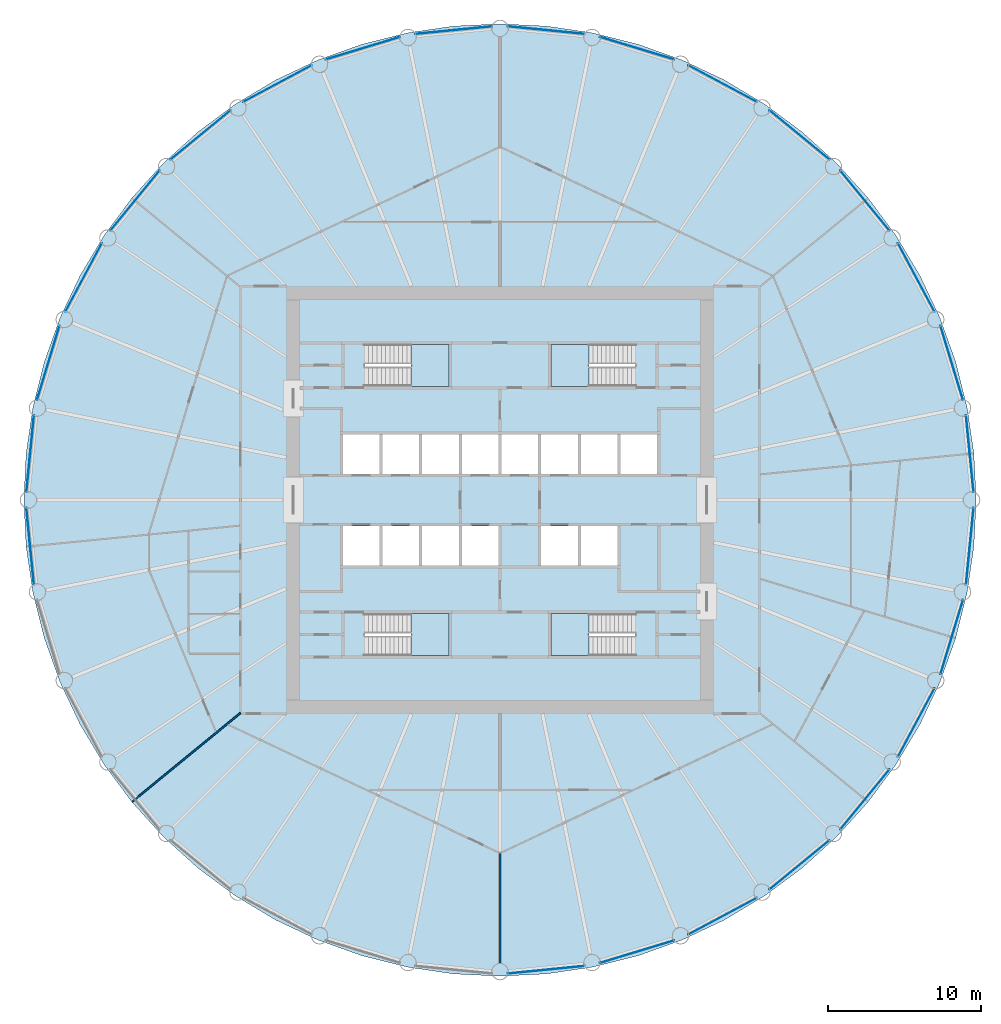
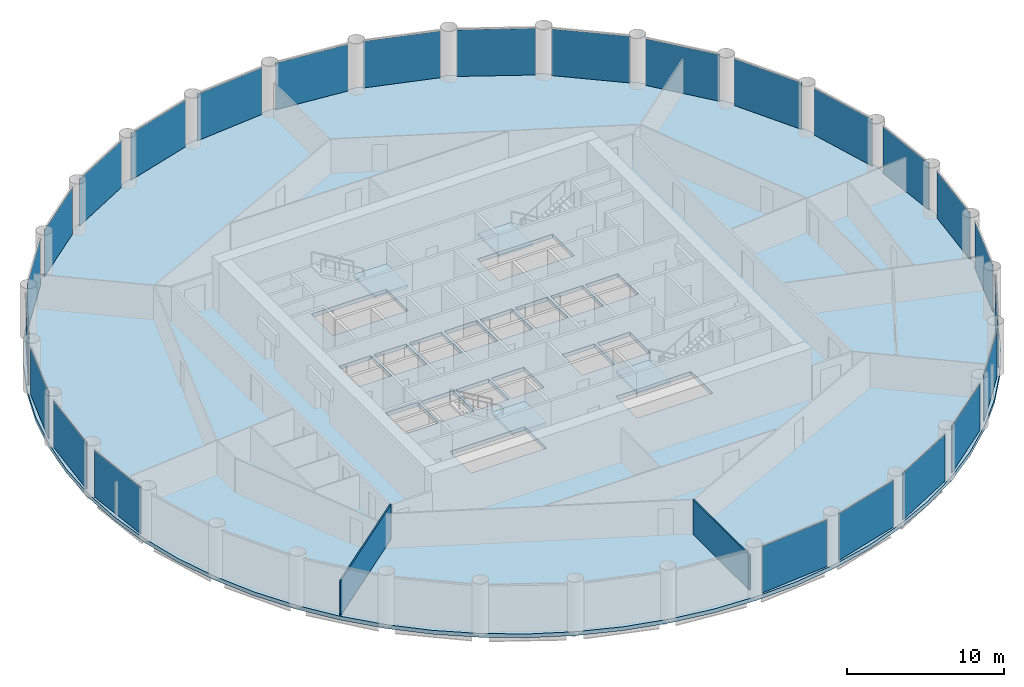
# One storey, part 3 of 9: 25 plates, 5 slabs, 2 walls, 29 elements without a shape of their own.
"""IFC4 building model written with IfcOpenShell, lengths in metres."""

from ifc_helpers import new_model, si_unit, direction, frame, frame_2d, origin, origin_2d, place, context, subcontext, project, spatial, polyline, rectangle, outline, extrude, material, layer, layer_set, type_object, element, aggregate, save


model = new_model("IFC4")

# Units and contexts
model_context = context("Model", 3, precision=1e-05, world=origin(), true_north=direction((0.0, 1.0)))
body_context = subcontext(model_context, "Body", "Model", "MODEL_VIEW")
ifc_project = project(units=[si_unit("LENGTHUNIT", "METRE"), si_unit("AREAUNIT", "SQUARE_METRE"), si_unit("VOLUMEUNIT", "CUBIC_METRE"), si_unit("PLANEANGLEUNIT", "RADIAN"), si_unit("MASSUNIT", "GRAM", prefix="KILO")], contexts=[model_context])

# Site, building, storey
site_placement = place(None, origin())
site = spatial("IfcSite", under=ifc_project, at=site_placement, CompositionType="ELEMENT")
building_placement = place(site_placement, origin())
building = spatial("IfcBuilding", under=site, at=building_placement, Name="Corvane Civic Tower", CompositionType="ELEMENT")
storey_placement = place(building_placement, frame((0.0, 0.0, 172.0)))
storey = spatial("IfcBuildingStorey", under=building, at=storey_placement, Name="L40", CompositionType="ELEMENT", Elevation=172.0)

# Slab
ifc_material_1 = material(Name="Concrete C40/50", Category="concrete")
ifc_layer_1 = layer(ifc_material_1, 0.300048828125)
ifc_layer_set_1 = layer_set([ifc_layer_1], Name="Concrete C40/50")
slab_type_1 = type_object("IfcSlabType", Name="FLOOR SLAB 300", PredefinedType="FLOOR", material=ifc_layer_set_1)
slab_1_placement = place(storey_placement, frame((0.0, 0.0, -0.300048828125)))
element("IfcSlab", 1, at=slab_1_placement, inside=storey, type_object=slab_type_1, Name="SLB-L40", PredefinedType="FLOOR", context=body_context, shape_type="SweptSolid", body=[
    extrude(outline(polyline([(0.0, 31.199951171875), (-3.05810546875, 31.0498046875), (-6.0869140625, 30.6005859375), (-9.056884765625, 29.8564453125), (-11.939697265625, 28.824951171875), (-14.70751953125, 27.515869140625), (-17.333740234375, 25.94189453125), (-19.79296875, 24.117919921875), (-22.061767578125, 22.061767578125), (-24.117919921875, 19.79296875), (-25.94189453125, 17.333740234375), (-27.515869140625, 14.70751953125), (-28.824951171875, 11.939697265625), (-29.8564453125, 9.056884765625), (-30.6005859375, 6.0869140625), (-31.0498046875, 3.05810546875), (-31.199951171875, 0.0), (-31.0498046875, -3.05810546875), (-30.6005859375, -6.0869140625), (-29.8564453125, -9.056884765625), (-28.824951171875, -11.939697265625), (-27.515869140625, -14.70751953125), (-25.94189453125, -17.333740234375), (-24.117919921875, -19.79296875), (-22.061767578125, -22.061767578125), (-19.79296875, -24.117919921875), (-17.333740234375, -25.94189453125), (-14.70751953125, -27.515869140625), (-11.939697265625, -28.824951171875), (-9.056884765625, -29.8564453125), (-6.0869140625, -30.6005859375), (-3.05810546875, -31.0498046875), (0.0, -31.199951171875), (3.05810546875, -31.0498046875), (6.0869140625, -30.6005859375), (9.056884765625, -29.8564453125), (11.939697265625, -28.824951171875), (14.70751953125, -27.515869140625), (17.333740234375, -25.94189453125), (19.79296875, -24.117919921875), (22.061767578125, -22.061767578125), (24.117919921875, -19.79296875), (25.94189453125, -17.333740234375), (27.515869140625, -14.70751953125), (28.824951171875, -11.939697265625), (29.8564453125, -9.056884765625), (30.6005859375, -6.0869140625), (31.0498046875, -3.05810546875), (31.199951171875, 0.0), (31.0498046875, 3.05810546875), (30.6005859375, 6.0869140625), (29.8564453125, 9.056884765625), (28.824951171875, 11.939697265625), (27.515869140625, 14.70751953125), (25.94189453125, 17.333740234375), (24.117919921875, 19.79296875), (22.061767578125, 22.061767578125), (19.79296875, 24.117919921875), (17.333740234375, 25.94189453125), (14.70751953125, 27.515869140625), (11.939697265625, 28.824951171875), (9.056884765625, 29.8564453125), (6.0869140625, 30.6005859375), (3.05810546875, 31.0498046875), (0.0, 31.199951171875)]), holes=[polyline([(-7.89990234375, 1.699951171875), (-10.300048828125, 1.699951171875), (-10.300048828125, 4.300048828125), (-7.89990234375, 4.300048828125), (-7.89990234375, 1.699951171875)]), polyline([(-5.300048828125, 1.699951171875), (-7.699951171875, 1.699951171875), (-7.699951171875, 4.300048828125), (-5.300048828125, 4.300048828125), (-5.300048828125, 1.699951171875)]), polyline([(-2.699951171875, 1.699951171875), (-5.10009765625, 1.699951171875), (-5.10009765625, 4.300048828125), (-2.699951171875, 4.300048828125), (-2.699951171875, 1.699951171875)]), polyline([(-2.5, 4.300048828125), (-0.10009765625, 4.300048828125), (-0.10009765625, 1.699951171875), (-2.5, 1.699951171875), (-2.5, 4.300048828125)]), polyline([(2.5, 1.699951171875), (0.10009765625, 1.699951171875), (0.10009765625, 4.300048828125), (2.5, 4.300048828125), (2.5, 1.699951171875)]), polyline([(5.10009765625, 1.699951171875), (2.699951171875, 1.699951171875), (2.699951171875, 4.300048828125), (5.10009765625, 4.300048828125), (5.10009765625, 1.699951171875)]), polyline([(5.300048828125, 4.300048828125), (7.699951171875, 4.300048828125), (7.699951171875, 1.699951171875), (5.300048828125, 1.699951171875), (5.300048828125, 4.300048828125)]), polyline([(7.89990234375, 4.300048828125), (10.300048828125, 4.300048828125), (10.300048828125, 1.699951171875), (7.89990234375, 1.699951171875), (7.89990234375, 4.300048828125)]), polyline([(-10.300048828125, -1.699951171875), (-7.89990234375, -1.699951171875), (-7.89990234375, -4.300048828125), (-10.300048828125, -4.300048828125), (-10.300048828125, -1.699951171875)]), polyline([(-7.699951171875, -1.699951171875), (-5.300048828125, -1.699951171875), (-5.300048828125, -4.300048828125), (-7.699951171875, -4.300048828125), (-7.699951171875, -1.699951171875)]), polyline([(-5.10009765625, -1.699951171875), (-2.699951171875, -1.699951171875), (-2.699951171875, -4.300048828125), (-5.10009765625, -4.300048828125), (-5.10009765625, -1.699951171875)]), polyline([(-2.5, -1.699951171875), (-0.10009765625, -1.699951171875), (-0.10009765625, -4.300048828125), (-2.5, -4.300048828125), (-2.5, -1.699951171875)]), polyline([(2.699951171875, -1.699951171875), (5.10009765625, -1.699951171875), (5.10009765625, -4.300048828125), (2.699951171875, -4.300048828125), (2.699951171875, -1.699951171875)]), polyline([(5.300048828125, -1.699951171875), (7.699951171875, -1.699951171875), (7.699951171875, -4.300048828125), (5.300048828125, -4.300048828125), (5.300048828125, -1.699951171875)]), polyline([(8.889892578125, 10.199951171875), (8.889892578125, 7.449951171875), (3.35009765625, 7.449951171875), (3.35009765625, 10.199951171875), (8.889892578125, 10.199951171875)]), polyline([(-8.889892578125, 7.449951171875), (-8.889892578125, 10.199951171875), (-3.35009765625, 10.199951171875), (-3.35009765625, 7.449951171875), (-8.889892578125, 7.449951171875)]), polyline([(8.889892578125, -7.449951171875), (8.889892578125, -10.199951171875), (3.35009765625, -10.199951171875), (3.35009765625, -7.449951171875), (8.889892578125, -7.449951171875)]), polyline([(-8.889892578125, -10.199951171875), (-8.889892578125, -7.449951171875), (-3.35009765625, -7.449951171875), (-3.35009765625, -10.199951171875), (-8.889892578125, -10.199951171875)])]), origin(), (0.0, 0.0, 1.0), 0.300048828125),
])

# Stair, slab
ifc_material_2 = material(Name="Concrete C40/50", Category="concrete")
stair_type = type_object("IfcStairType", Name="ST-STAIR-HALFTURN", PredefinedType="HALF_TURN_STAIR", material=ifc_material_2)
stair_1_placement = place(storey_placement, origin())
stair_1 = element("IfcStair", 2, at=stair_1_placement, inside=storey, type_object=stair_type, Name="L40 Exit stair ST1", PredefinedType="HALF_TURN_STAIR")
ifc_material_3 = material(Name="Concrete C40/50", Category="concrete")
ifc_layer_2 = layer(ifc_material_3, 0.199951171875)
ifc_layer_set_2 = layer_set([ifc_layer_2], Name="Concrete C40/50")
slab_type_2 = type_object("IfcSlabType", Name="ST-LANDING-RC", PredefinedType="LANDING", material=ifc_layer_set_2)
slab_2_placement = place(storey_placement, frame((0.0, 0.0, 1.800048828125)))
slab_2 = element("IfcSlab", 3, at=slab_2_placement, type_object=slab_type_2, Name="ST1 landing 1", PredefinedType="LANDING", context=body_context, shape_type="SweptSolid", body=[
    extrude(outline(polyline([(5.820068359375, 10.199951171875), (3.35009765625, 10.199951171875), (3.35009765625, 7.449951171875), (5.820068359375, 7.449951171875), (5.820068359375, 10.199951171875)])), origin(), (0.0, 0.0, 1.0), 0.199951171875),
])
aggregate(stair_1, [slab_2])

stair_2_placement = place(storey_placement, origin())
stair_2 = element("IfcStair", 4, at=stair_2_placement, inside=storey, type_object=stair_type, Name="L40 Exit stair ST2", PredefinedType="HALF_TURN_STAIR")
slab_3_placement = place(storey_placement, frame((0.0, 0.0, 1.800048828125)))
slab_3 = element("IfcSlab", 5, at=slab_3_placement, type_object=slab_type_2, Name="ST2 landing 1", PredefinedType="LANDING", context=body_context, shape_type="SweptSolid", body=[
    extrude(outline(polyline([(5.820068359375, -7.449951171875), (3.35009765625, -7.449951171875), (3.35009765625, -10.199951171875), (5.820068359375, -10.199951171875), (5.820068359375, -7.449951171875)])), origin(), (0.0, 0.0, 1.0), 0.199951171875),
])
aggregate(stair_2, [slab_3])

stair_3_placement = place(storey_placement, origin())
stair_3 = element("IfcStair", 6, at=stair_3_placement, inside=storey, type_object=stair_type, Name="L40 Exit stair ST3", PredefinedType="HALF_TURN_STAIR")
slab_4_placement = place(storey_placement, frame((0.0, 0.0, 1.800048828125)))
slab_4 = element("IfcSlab", 7, at=slab_4_placement, type_object=slab_type_2, Name="ST3 landing 1", PredefinedType="LANDING", context=body_context, shape_type="SweptSolid", body=[
    extrude(outline(polyline([(-5.820068359375, -10.199951171875), (-3.35009765625, -10.199951171875), (-3.35009765625, -7.449951171875), (-5.820068359375, -7.449951171875), (-5.820068359375, -10.199951171875)])), origin(), (0.0, 0.0, 1.0), 0.199951171875),
])
aggregate(stair_3, [slab_4])

stair_4_placement = place(storey_placement, origin())
stair_4 = element("IfcStair", 8, at=stair_4_placement, inside=storey, type_object=stair_type, Name="L40 Exit stair ST4", PredefinedType="HALF_TURN_STAIR")
slab_5_placement = place(storey_placement, frame((0.0, 0.0, 1.800048828125)))
slab_5 = element("IfcSlab", 9, at=slab_5_placement, type_object=slab_type_2, Name="ST4 landing 1", PredefinedType="LANDING", context=body_context, shape_type="SweptSolid", body=[
    extrude(outline(polyline([(-5.820068359375, 7.449951171875), (-3.35009765625, 7.449951171875), (-3.35009765625, 10.199951171875), (-5.820068359375, 10.199951171875), (-5.820068359375, 7.449951171875)])), origin(), (0.0, 0.0, 1.0), 0.199951171875),
])
aggregate(stair_4, [slab_5])

# Curtain wall, plate
ifc_material_4 = material(Name="Anodised aluminium bronze", Category="aluminium")
curtain_wall_type = type_object("IfcCurtainWallType", Name="TOWER CW-T2 STICK CURTAIN WALL", PredefinedType="NOTDEFINED", material=ifc_material_4)
curtain_wall_1_placement = place(storey_placement, origin())
curtain_wall_1 = element("IfcCurtainWall", 10, at=curtain_wall_1_placement, inside=storey, type_object=curtain_wall_type, Name="Curtain wall CW-T2 L40 bay 01", PredefinedType="NOTDEFINED")
ifc_material_5 = material(Name="Tinted glass", Category="glass")
ifc_layer_3 = layer(ifc_material_5, 0.031982421875)
ifc_layer_set_3 = layer_set([ifc_layer_3], Name="Tinted glass")
plate_type = type_object("IfcPlateType", Name="TOWER CW-T2 PANEL IGU32", PredefinedType="CURTAIN_PANEL", material=ifc_layer_set_3)
plate_1_placement = place(storey_placement, frame((3.03173828125, 30.781494140625, 0.0), z_axis=(0.0, 0.0, 1.0), x_axis=(0.995185244531, -0.098011882274, 0.0)))
plate_1 = element("IfcPlate", 11, at=plate_1_placement, type_object=plate_type, Name="Glass panel CW-T2 L40 01.1", PredefinedType="CURTAIN_PANEL", context=body_context, shape_type="SweptSolid", body=[
    extrude(rectangle(XDim=5.07763671875, YDim=0.031982421875, at=origin_2d()), origin(), (0.0, 0.0, 1.0), 3.6298828125),
])
aggregate(curtain_wall_1, [plate_1])

curtain_wall_2_placement = place(storey_placement, origin())
curtain_wall_2 = element("IfcCurtainWall", 12, at=curtain_wall_2_placement, inside=storey, type_object=curtain_wall_type, Name="Curtain wall CW-T2 L40 bay 02", PredefinedType="NOTDEFINED")
plate_2_placement = place(storey_placement, frame((8.978515625, 29.5986328125, 0.0), z_axis=(0.0, 0.0, 1.0), x_axis=(0.956931677007, -0.290313219714, 0.0)))
plate_2 = element("IfcPlate", 13, at=plate_2_placement, type_object=plate_type, Name="Glass panel CW-T2 L40 02.1", PredefinedType="CURTAIN_PANEL", context=body_context, shape_type="SweptSolid", body=[
    extrude(rectangle(XDim=5.077392578125, YDim=0.031982421875, at=origin_2d()), origin(), (0.0, 0.0, 1.0), 3.6298828125),
])
aggregate(curtain_wall_2, [plate_2])

curtain_wall_3_placement = place(storey_placement, origin())
curtain_wall_3 = element("IfcCurtainWall", 14, at=curtain_wall_3_placement, inside=storey, type_object=curtain_wall_type, Name="Curtain wall CW-T2 L40 bay 03", PredefinedType="NOTDEFINED")
plate_3_placement = place(storey_placement, frame((14.58056640625, 27.278076171875, 0.0), z_axis=(0.0, 0.0, 1.0), x_axis=(0.881922190434, -0.471395004238, 0.0)))
plate_3 = element("IfcPlate", 15, at=plate_3_placement, type_object=plate_type, Name="Glass panel CW-T2 L40 03.1", PredefinedType="CURTAIN_PANEL", context=body_context, shape_type="SweptSolid", body=[
    extrude(rectangle(XDim=5.077392578125, YDim=0.031982421875, at=origin_2d()), origin(), (0.0, 0.0, 1.0), 3.6298828125),
])
aggregate(curtain_wall_3, [plate_3])

curtain_wall_4_placement = place(storey_placement, origin())
curtain_wall_4 = element("IfcCurtainWall", 16, at=curtain_wall_4_placement, inside=storey, type_object=curtain_wall_type, Name="Curtain wall CW-T2 L40 bay 04", PredefinedType="NOTDEFINED")
plate_4_placement = place(storey_placement, frame((19.6220703125, 23.909423828125, 0.0), z_axis=(0.0, 0.0, 1.0), x_axis=(0.773004844196, -0.634400118891, 0.0)))
plate_4 = element("IfcPlate", 17, at=plate_4_placement, type_object=plate_type, Name="Glass panel CW-T2 L40 04.1", PredefinedType="CURTAIN_PANEL", context=body_context, shape_type="SweptSolid", body=[
    extrude(rectangle(XDim=5.0771484375, YDim=0.031982421875, at=origin_2d()), origin(), (0.0, 0.0, 1.0), 3.6298828125),
])
aggregate(curtain_wall_4, [plate_4])

curtain_wall_5_placement = place(storey_placement, origin())
curtain_wall_5 = element("IfcCurtainWall", 18, at=curtain_wall_5_placement, inside=storey, type_object=curtain_wall_type, Name="Curtain wall CW-T2 L40 bay 05", PredefinedType="NOTDEFINED")
plate_5_placement = place(storey_placement, frame((23.909423828125, 19.6220703125, 0.0), z_axis=(0.0, 0.0, 1.0), x_axis=(0.634400118891, -0.773004844196, 0.0)))
plate_5 = element("IfcPlate", 19, at=plate_5_placement, type_object=plate_type, Name="Glass panel CW-T2 L40 05.1", PredefinedType="CURTAIN_PANEL", context=body_context, shape_type="SweptSolid", body=[
    extrude(rectangle(XDim=5.0771484375, YDim=0.031982421875, at=origin_2d()), origin(), (0.0, 0.0, 1.0), 3.6298828125),
])
aggregate(curtain_wall_5, [plate_5])

curtain_wall_6_placement = place(storey_placement, origin())
curtain_wall_6 = element("IfcCurtainWall", 20, at=curtain_wall_6_placement, inside=storey, type_object=curtain_wall_type, Name="Curtain wall CW-T2 L40 bay 06", PredefinedType="NOTDEFINED")
plate_6_placement = place(storey_placement, frame((27.278076171875, 14.58056640625, 0.0), z_axis=(0.0, 0.0, 1.0), x_axis=(0.471395004238, -0.881922190434, 0.0)))
plate_6 = element("IfcPlate", 21, at=plate_6_placement, type_object=plate_type, Name="Glass panel CW-T2 L40 06.1", PredefinedType="CURTAIN_PANEL", context=body_context, shape_type="SweptSolid", body=[
    extrude(rectangle(XDim=5.077392578125, YDim=0.031982421875, at=origin_2d()), origin(), (0.0, 0.0, 1.0), 3.6298828125),
])
aggregate(curtain_wall_6, [plate_6])

curtain_wall_7_placement = place(storey_placement, origin())
curtain_wall_7 = element("IfcCurtainWall", 22, at=curtain_wall_7_placement, inside=storey, type_object=curtain_wall_type, Name="Curtain wall CW-T2 L40 bay 07", PredefinedType="NOTDEFINED")
plate_7_placement = place(storey_placement, frame((29.5986328125, 8.978515625, 0.0), z_axis=(0.0, 0.0, 1.0), x_axis=(0.290313219714, -0.956931677007, 0.0)))
plate_7 = element("IfcPlate", 23, at=plate_7_placement, type_object=plate_type, Name="Glass panel CW-T2 L40 07.1", PredefinedType="CURTAIN_PANEL", context=body_context, shape_type="SweptSolid", body=[
    extrude(rectangle(XDim=5.077392578125, YDim=0.031982421875, at=origin_2d()), origin(), (0.0, 0.0, 1.0), 3.6298828125),
])
aggregate(curtain_wall_7, [plate_7])

curtain_wall_8_placement = place(storey_placement, origin())
curtain_wall_8 = element("IfcCurtainWall", 24, at=curtain_wall_8_placement, inside=storey, type_object=curtain_wall_type, Name="Curtain wall CW-T2 L40 bay 08", PredefinedType="NOTDEFINED")
plate_8_placement = place(storey_placement, frame((30.781494140625, 3.03173828125, 0.0), z_axis=(0.0, 0.0, 1.0), x_axis=(0.098011882274, -0.995185244531, 0.0)))
plate_8 = element("IfcPlate", 25, at=plate_8_placement, type_object=plate_type, Name="Glass panel CW-T2 L40 08.1", PredefinedType="CURTAIN_PANEL", context=body_context, shape_type="SweptSolid", body=[
    extrude(rectangle(XDim=5.07763671875, YDim=0.031982421875, at=origin_2d()), origin(), (0.0, 0.0, 1.0), 3.6298828125),
])
aggregate(curtain_wall_8, [plate_8])

curtain_wall_9_placement = place(storey_placement, origin())
curtain_wall_9 = element("IfcCurtainWall", 26, at=curtain_wall_9_placement, inside=storey, type_object=curtain_wall_type, Name="Curtain wall CW-T2 L40 bay 09", PredefinedType="NOTDEFINED")
plate_9_placement = place(storey_placement, frame((30.781494140625, -3.03173828125, 0.0), z_axis=(0.0, 0.0, 1.0), x_axis=(-0.098011882274, -0.995185244531, 0.0)))
plate_9 = element("IfcPlate", 27, at=plate_9_placement, type_object=plate_type, Name="Glass panel CW-T2 L40 09.1", PredefinedType="CURTAIN_PANEL", context=body_context, shape_type="SweptSolid", body=[
    extrude(rectangle(XDim=5.07763671875, YDim=0.031982421875, at=origin_2d()), origin(), (0.0, 0.0, 1.0), 3.6298828125),
])
aggregate(curtain_wall_9, [plate_9])

curtain_wall_10_placement = place(storey_placement, origin())
curtain_wall_10 = element("IfcCurtainWall", 28, at=curtain_wall_10_placement, inside=storey, type_object=curtain_wall_type, Name="Curtain wall CW-T2 L40 bay 10", PredefinedType="NOTDEFINED")
plate_10_placement = place(storey_placement, frame((29.5986328125, -8.978515625, 0.0), z_axis=(0.0, 0.0, 1.0), x_axis=(-0.290313219714, -0.956931677007, 0.0)))
plate_10 = element("IfcPlate", 29, at=plate_10_placement, type_object=plate_type, Name="Glass panel CW-T2 L40 10.1", PredefinedType="CURTAIN_PANEL", context=body_context, shape_type="SweptSolid", body=[
    extrude(rectangle(XDim=5.077392578125, YDim=0.031982421875, at=origin_2d()), origin(), (0.0, 0.0, 1.0), 3.6298828125),
])
aggregate(curtain_wall_10, [plate_10])

curtain_wall_11_placement = place(storey_placement, origin())
curtain_wall_11 = element("IfcCurtainWall", 30, at=curtain_wall_11_placement, inside=storey, type_object=curtain_wall_type, Name="Curtain wall CW-T2 L40 bay 11", PredefinedType="NOTDEFINED")
plate_11_placement = place(storey_placement, frame((27.278076171875, -14.58056640625, 0.0), z_axis=(0.0, 0.0, 1.0), x_axis=(-0.471395004238, -0.881922190434, 0.0)))
plate_11 = element("IfcPlate", 31, at=plate_11_placement, type_object=plate_type, Name="Glass panel CW-T2 L40 11.1", PredefinedType="CURTAIN_PANEL", context=body_context, shape_type="SweptSolid", body=[
    extrude(rectangle(XDim=5.077392578125, YDim=0.031982421875, at=origin_2d()), origin(), (0.0, 0.0, 1.0), 3.6298828125),
])
aggregate(curtain_wall_11, [plate_11])

curtain_wall_12_placement = place(storey_placement, origin())
curtain_wall_12 = element("IfcCurtainWall", 32, at=curtain_wall_12_placement, inside=storey, type_object=curtain_wall_type, Name="Curtain wall CW-T2 L40 bay 12", PredefinedType="NOTDEFINED")
plate_12_placement = place(storey_placement, frame((23.909423828125, -19.6220703125, 0.0), z_axis=(0.0, 0.0, 1.0), x_axis=(-0.634400118891, -0.773004844196, 0.0)))
plate_12 = element("IfcPlate", 33, at=plate_12_placement, type_object=plate_type, Name="Glass panel CW-T2 L40 12.1", PredefinedType="CURTAIN_PANEL", context=body_context, shape_type="SweptSolid", body=[
    extrude(rectangle(XDim=5.0771484375, YDim=0.031982421875, at=origin_2d()), origin(), (0.0, 0.0, 1.0), 3.6298828125),
])
aggregate(curtain_wall_12, [plate_12])

curtain_wall_13_placement = place(storey_placement, origin())
curtain_wall_13 = element("IfcCurtainWall", 34, at=curtain_wall_13_placement, inside=storey, type_object=curtain_wall_type, Name="Curtain wall CW-T2 L40 bay 13", PredefinedType="NOTDEFINED")
plate_13_placement = place(storey_placement, frame((19.6220703125, -23.909423828125, 0.0), z_axis=(0.0, 0.0, 1.0), x_axis=(-0.773004844196, -0.634400118891, 0.0)))
plate_13 = element("IfcPlate", 35, at=plate_13_placement, type_object=plate_type, Name="Glass panel CW-T2 L40 13.1", PredefinedType="CURTAIN_PANEL", context=body_context, shape_type="SweptSolid", body=[
    extrude(rectangle(XDim=5.0771484375, YDim=0.031982421875, at=origin_2d()), origin(), (0.0, 0.0, 1.0), 3.6298828125),
])
aggregate(curtain_wall_13, [plate_13])

curtain_wall_14_placement = place(storey_placement, origin())
curtain_wall_14 = element("IfcCurtainWall", 36, at=curtain_wall_14_placement, inside=storey, type_object=curtain_wall_type, Name="Curtain wall CW-T2 L40 bay 14", PredefinedType="NOTDEFINED")
plate_14_placement = place(storey_placement, frame((14.58056640625, -27.278076171875, 0.0), z_axis=(0.0, 0.0, 1.0), x_axis=(-0.881922190434, -0.471395004238, 0.0)))
plate_14 = element("IfcPlate", 37, at=plate_14_placement, type_object=plate_type, Name="Glass panel CW-T2 L40 14.1", PredefinedType="CURTAIN_PANEL", context=body_context, shape_type="SweptSolid", body=[
    extrude(rectangle(XDim=5.077392578125, YDim=0.031982421875, at=origin_2d()), origin(), (0.0, 0.0, 1.0), 3.6298828125),
])
aggregate(curtain_wall_14, [plate_14])

curtain_wall_15_placement = place(storey_placement, origin())
curtain_wall_15 = element("IfcCurtainWall", 38, at=curtain_wall_15_placement, inside=storey, type_object=curtain_wall_type, Name="Curtain wall CW-T2 L40 bay 15", PredefinedType="NOTDEFINED")
plate_15_placement = place(storey_placement, frame((8.978515625, -29.5986328125, 0.0), z_axis=(0.0, 0.0, 1.0), x_axis=(-0.956931677007, -0.290313219714, 0.0)))
plate_15 = element("IfcPlate", 39, at=plate_15_placement, type_object=plate_type, Name="Glass panel CW-T2 L40 15.1", PredefinedType="CURTAIN_PANEL", context=body_context, shape_type="SweptSolid", body=[
    extrude(rectangle(XDim=5.077392578125, YDim=0.031982421875, at=origin_2d()), origin(), (0.0, 0.0, 1.0), 3.6298828125),
])
aggregate(curtain_wall_15, [plate_15])

curtain_wall_16_placement = place(storey_placement, origin())
curtain_wall_16 = element("IfcCurtainWall", 40, at=curtain_wall_16_placement, inside=storey, type_object=curtain_wall_type, Name="Curtain wall CW-T2 L40 bay 16", PredefinedType="NOTDEFINED")
plate_16_placement = place(storey_placement, frame((3.03173828125, -30.781494140625, 0.0), z_axis=(0.0, 0.0, 1.0), x_axis=(-0.995185244531, -0.098011882274, 0.0)))
plate_16 = element("IfcPlate", 41, at=plate_16_placement, type_object=plate_type, Name="Glass panel CW-T2 L40 16.1", PredefinedType="CURTAIN_PANEL", context=body_context, shape_type="SweptSolid", body=[
    extrude(rectangle(XDim=5.07763671875, YDim=0.031982421875, at=origin_2d()), origin(), (0.0, 0.0, 1.0), 3.6298828125),
])
aggregate(curtain_wall_16, [plate_16])

curtain_wall_17_placement = place(storey_placement, origin())
curtain_wall_17 = element("IfcCurtainWall", 42, at=curtain_wall_17_placement, inside=storey, type_object=curtain_wall_type, Name="Curtain wall CW-T2 L40 bay 24", PredefinedType="NOTDEFINED")
plate_17_placement = place(storey_placement, frame((-30.781494140625, -3.03173828125, 0.0), z_axis=(0.0, 0.0, 1.0), x_axis=(-0.098011882274, 0.995185244531, 0.0)))
plate_17 = element("IfcPlate", 43, at=plate_17_placement, type_object=plate_type, Name="Glass panel CW-T2 L40 24.1", PredefinedType="CURTAIN_PANEL", context=body_context, shape_type="SweptSolid", body=[
    extrude(rectangle(XDim=5.07763671875, YDim=0.031982421875, at=origin_2d()), origin(), (0.0, 0.0, 1.0), 3.6298828125),
])
aggregate(curtain_wall_17, [plate_17])

curtain_wall_18_placement = place(storey_placement, origin())
curtain_wall_18 = element("IfcCurtainWall", 44, at=curtain_wall_18_placement, inside=storey, type_object=curtain_wall_type, Name="Curtain wall CW-T2 L40 bay 25", PredefinedType="NOTDEFINED")
plate_18_placement = place(storey_placement, frame((-30.781494140625, 3.03173828125, 0.0), z_axis=(0.0, 0.0, 1.0), x_axis=(0.098011882274, 0.995185244531, 0.0)))
plate_18 = element("IfcPlate", 45, at=plate_18_placement, type_object=plate_type, Name="Glass panel CW-T2 L40 25.1", PredefinedType="CURTAIN_PANEL", context=body_context, shape_type="SweptSolid", body=[
    extrude(rectangle(XDim=5.07763671875, YDim=0.031982421875, at=origin_2d()), origin(), (0.0, 0.0, 1.0), 3.6298828125),
])
aggregate(curtain_wall_18, [plate_18])

curtain_wall_19_placement = place(storey_placement, origin())
curtain_wall_19 = element("IfcCurtainWall", 46, at=curtain_wall_19_placement, inside=storey, type_object=curtain_wall_type, Name="Curtain wall CW-T2 L40 bay 26", PredefinedType="NOTDEFINED")
plate_19_placement = place(storey_placement, frame((-29.5986328125, 8.978515625, 0.0), z_axis=(0.0, 0.0, 1.0), x_axis=(0.290313219714, 0.956931677007, 0.0)))
plate_19 = element("IfcPlate", 47, at=plate_19_placement, type_object=plate_type, Name="Glass panel CW-T2 L40 26.1", PredefinedType="CURTAIN_PANEL", context=body_context, shape_type="SweptSolid", body=[
    extrude(rectangle(XDim=5.077392578125, YDim=0.031982421875, at=origin_2d()), origin(), (0.0, 0.0, 1.0), 3.6298828125),
])
aggregate(curtain_wall_19, [plate_19])

curtain_wall_20_placement = place(storey_placement, origin())
curtain_wall_20 = element("IfcCurtainWall", 48, at=curtain_wall_20_placement, inside=storey, type_object=curtain_wall_type, Name="Curtain wall CW-T2 L40 bay 27", PredefinedType="NOTDEFINED")
plate_20_placement = place(storey_placement, frame((-27.278076171875, 14.58056640625, 0.0), z_axis=(0.0, 0.0, 1.0), x_axis=(0.471395004238, 0.881922190434, 0.0)))
plate_20 = element("IfcPlate", 49, at=plate_20_placement, type_object=plate_type, Name="Glass panel CW-T2 L40 27.1", PredefinedType="CURTAIN_PANEL", context=body_context, shape_type="SweptSolid", body=[
    extrude(rectangle(XDim=5.077392578125, YDim=0.031982421875, at=origin_2d()), origin(), (0.0, 0.0, 1.0), 3.6298828125),
])
aggregate(curtain_wall_20, [plate_20])

curtain_wall_21_placement = place(storey_placement, origin())
curtain_wall_21 = element("IfcCurtainWall", 50, at=curtain_wall_21_placement, inside=storey, type_object=curtain_wall_type, Name="Curtain wall CW-T2 L40 bay 28", PredefinedType="NOTDEFINED")
plate_21_placement = place(storey_placement, frame((-23.909423828125, 19.6220703125, 0.0), z_axis=(0.0, 0.0, 1.0), x_axis=(0.634400118891, 0.773004844196, 0.0)))
plate_21 = element("IfcPlate", 51, at=plate_21_placement, type_object=plate_type, Name="Glass panel CW-T2 L40 28.1", PredefinedType="CURTAIN_PANEL", context=body_context, shape_type="SweptSolid", body=[
    extrude(rectangle(XDim=5.0771484375, YDim=0.031982421875, at=origin_2d()), origin(), (0.0, 0.0, 1.0), 3.6298828125),
])
aggregate(curtain_wall_21, [plate_21])

curtain_wall_22_placement = place(storey_placement, origin())
curtain_wall_22 = element("IfcCurtainWall", 52, at=curtain_wall_22_placement, inside=storey, type_object=curtain_wall_type, Name="Curtain wall CW-T2 L40 bay 29", PredefinedType="NOTDEFINED")
plate_22_placement = place(storey_placement, frame((-19.6220703125, 23.909423828125, 0.0), z_axis=(0.0, 0.0, 1.0), x_axis=(0.773004844196, 0.634400118891, 0.0)))
plate_22 = element("IfcPlate", 53, at=plate_22_placement, type_object=plate_type, Name="Glass panel CW-T2 L40 29.1", PredefinedType="CURTAIN_PANEL", context=body_context, shape_type="SweptSolid", body=[
    extrude(rectangle(XDim=5.0771484375, YDim=0.031982421875, at=origin_2d()), origin(), (0.0, 0.0, 1.0), 3.6298828125),
])
aggregate(curtain_wall_22, [plate_22])

curtain_wall_23_placement = place(storey_placement, origin())
curtain_wall_23 = element("IfcCurtainWall", 54, at=curtain_wall_23_placement, inside=storey, type_object=curtain_wall_type, Name="Curtain wall CW-T2 L40 bay 30", PredefinedType="NOTDEFINED")
plate_23_placement = place(storey_placement, frame((-14.58056640625, 27.278076171875, 0.0), z_axis=(0.0, 0.0, 1.0), x_axis=(0.881922190434, 0.471395004238, 0.0)))
plate_23 = element("IfcPlate", 55, at=plate_23_placement, type_object=plate_type, Name="Glass panel CW-T2 L40 30.1", PredefinedType="CURTAIN_PANEL", context=body_context, shape_type="SweptSolid", body=[
    extrude(rectangle(XDim=5.077392578125, YDim=0.031982421875, at=origin_2d()), origin(), (0.0, 0.0, 1.0), 3.6298828125),
])
aggregate(curtain_wall_23, [plate_23])

curtain_wall_24_placement = place(storey_placement, origin())
curtain_wall_24 = element("IfcCurtainWall", 56, at=curtain_wall_24_placement, inside=storey, type_object=curtain_wall_type, Name="Curtain wall CW-T2 L40 bay 31", PredefinedType="NOTDEFINED")
plate_24_placement = place(storey_placement, frame((-8.978515625, 29.5986328125, 0.0), z_axis=(0.0, 0.0, 1.0), x_axis=(0.956931677007, 0.290313219714, 0.0)))
plate_24 = element("IfcPlate", 57, at=plate_24_placement, type_object=plate_type, Name="Glass panel CW-T2 L40 31.1", PredefinedType="CURTAIN_PANEL", context=body_context, shape_type="SweptSolid", body=[
    extrude(rectangle(XDim=5.077392578125, YDim=0.031982421875, at=origin_2d()), origin(), (0.0, 0.0, 1.0), 3.6298828125),
])
aggregate(curtain_wall_24, [plate_24])

curtain_wall_25_placement = place(storey_placement, origin())
curtain_wall_25 = element("IfcCurtainWall", 58, at=curtain_wall_25_placement, inside=storey, type_object=curtain_wall_type, Name="Curtain wall CW-T2 L40 bay 32", PredefinedType="NOTDEFINED")
plate_25_placement = place(storey_placement, frame((-3.03173828125, 30.781494140625, 0.0), z_axis=(0.0, 0.0, 1.0), x_axis=(0.995185244531, 0.098011882274, 0.0)))
plate_25 = element("IfcPlate", 59, at=plate_25_placement, type_object=plate_type, Name="Glass panel CW-T2 L40 32.1", PredefinedType="CURTAIN_PANEL", context=body_context, shape_type="SweptSolid", body=[
    extrude(rectangle(XDim=5.07763671875, YDim=0.031982421875, at=origin_2d()), origin(), (0.0, 0.0, 1.0), 3.6298828125),
])
aggregate(curtain_wall_25, [plate_25])

# Walls
ifc_material_6 = material(Name="Plasterboard")
ifc_layer_4 = layer(ifc_material_6, 0.10009765625)
ifc_layer_set_4 = layer_set([ifc_layer_4], Name="Plasterboard")
wall_type = type_object("IfcWallType", Name="Partition 100 plasterboard on studs", PredefinedType="PARTITIONING", material=ifc_layer_set_4)
wall_1_placement = place(storey_placement, frame((0.0, -30.33984375, 0.0), z_axis=(0.0, 0.0, 1.0), x_axis=(0.0, 1.0, 0.0)))
element("IfcWall", 60, at=wall_1_placement, inside=storey, type_object=wall_type, Name="Partition L40.001", PredefinedType="PARTITIONING", context=body_context, shape_type="SweptSolid", body=[
    extrude(rectangle(XDim=7.167724609375, YDim=0.10009765625, at=frame_2d((3.583984375, 0.0))), origin(), (0.0, 0.0, 1.0), 2.699951171875),
])
wall_2_placement = place(storey_placement, frame((-24.079345703125, -19.761474609375, 0.0), z_axis=(0.0, 0.0, 1.0), x_axis=(0.773006154143, 0.634398522742, 0.0)))
element("IfcWall", 61, at=wall_2_placement, inside=storey, type_object=wall_type, Name="Partition L40.004", PredefinedType="PARTITIONING", context=body_context, shape_type="SweptSolid", body=[
    extrude(rectangle(XDim=9.134521484375, YDim=0.10009765625, at=frame_2d((4.5673828125, 0.0))), origin(), (0.0, 0.0, 1.0), 2.699951171875),
])

save(model, "model.ifc")
